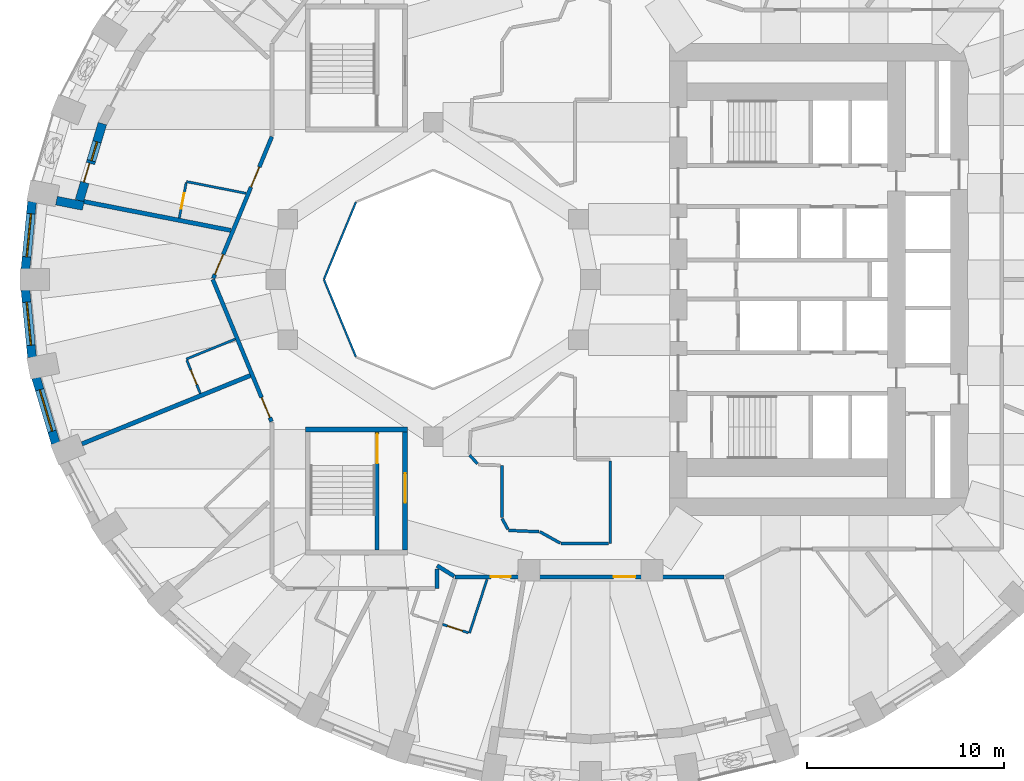
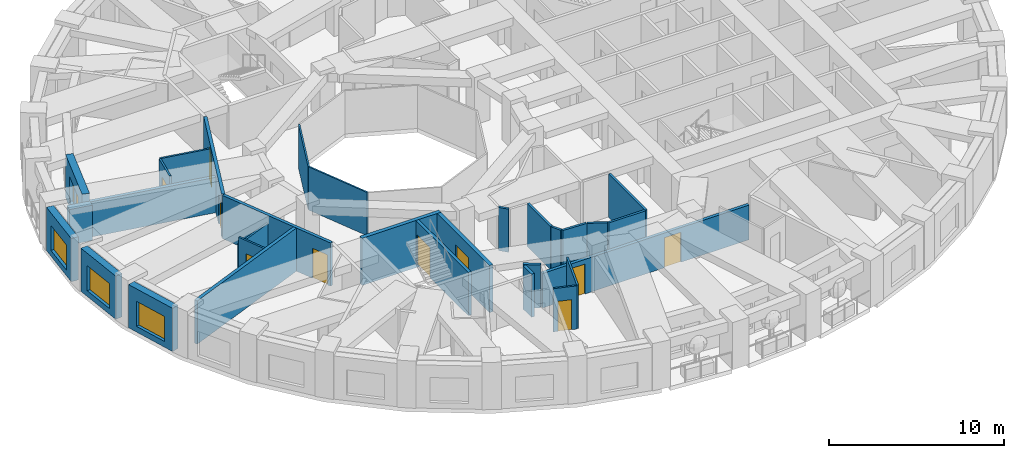
# One storey, part 4 of 13: 30 walls, 11 doors, 4 windows, 15 openings.
"""IFC4 building model written with IfcOpenShell, lengths in metres."""

from ifc_helpers import new_model, si_unit, direction, frame, frame_2d, origin, place, context, subcontext, project, spatial, rectangle, extrude, material, layer, layer_set, type_object, element, fill, save


model = new_model("IFC4")

# Units and contexts
model_context = context("Model", 3, precision=1e-05, world=origin(), true_north=direction((0.0, 1.0)))
body_context = subcontext(model_context, "Body", "Model", "MODEL_VIEW")
ifc_project = project(units=[si_unit("LENGTHUNIT", "METRE"), si_unit("AREAUNIT", "SQUARE_METRE"), si_unit("VOLUMEUNIT", "CUBIC_METRE"), si_unit("PLANEANGLEUNIT", "RADIAN"), si_unit("MASSUNIT", "GRAM", prefix="KILO")], contexts=[model_context])

# Site, building, storey
site_placement = place(None, origin())
site = spatial("IfcSite", under=ifc_project, at=site_placement, CompositionType="ELEMENT")
building_placement = place(site_placement, origin())
building = spatial("IfcBuilding", under=site, at=building_placement, Name="Taillehof Tower", CompositionType="ELEMENT")
storey_placement = place(building_placement, frame((0.0, 0.0, 71.199951171875)))
storey = spatial("IfcBuildingStorey", under=building, at=storey_placement, Name="L19", CompositionType="ELEMENT", Elevation=71.199951171875)

# Walls
ifc_material_1 = material(Name="Fire-resisting glass in steel frame", Category="steel")
ifc_layer_1 = layer(ifc_material_1, 0.10009765625)
ifc_layer_set_1 = layer_set([ifc_layer_1], Name="Atrium fire-resisting screen EI 60 100")
wall_type_1 = type_object("IfcWallType", Name="Atrium fire-resisting screen EI 60 100", PredefinedType="PARTITIONING", material=ifc_layer_set_1)
for number, where, z_axis, x_axis, name in (
    (1, (-11.92724609375, -3.92724609375, 0.0), (0.0, 0.0, 1.0), (-0.382730523909, 0.923860025149, 0.0), "Atrium screen"),
    (2, (-13.55419921875, 0.0, 0.0), (0.0, 0.0, 1.0), (0.382730523909, 0.923860025149, 0.0), "Atrium screen"),
):
    element("IfcWall", number, at=place(storey_placement, frame(where, z_axis=z_axis, x_axis=x_axis)), inside=storey, type_object=wall_type_1, Name=name, PredefinedType="PARTITIONING", context=body_context, shape_type="SweptSolid", body=[
        extrude(rectangle(XDim=4.2509765625, YDim=0.10009765625, at=frame_2d((2.12548828125, 0.0))), origin(), (0.0, 0.0, 1.0), 3.02001953125),
    ])

# Wall, opening, window
ifc_material_2 = material(Name="Brick masonry", Category="masonry")
ifc_layer_2 = layer(ifc_material_2, 0.449951171875)
ifc_layer_set_2 = layer_set([ifc_layer_2], Name="Brick infill wall 450")
wall_type_2 = type_object("IfcWallType", Name="Brick infill wall 450", PredefinedType="SOLIDWALL", material=ifc_layer_set_2)
wall_1_placement = place(storey_placement, frame((-28.38671875, 3.95556640625, 0.0), z_axis=(0.0, 0.0, 1.0), x_axis=(-0.097389581596, -0.995246336038, 0.0)))
wall_1 = element("IfcWall", 3, at=wall_1_placement, inside=storey, type_object=wall_type_2, Name="Brick wall L19 bay 18", PredefinedType="SOLIDWALL", context=body_context, shape_type="SweptSolid", body=[
    extrude(rectangle(XDim=3.44189453125, YDim=0.449951171875, at=frame_2d((1.720947265625, 0.0))), origin(), (0.0, 0.0, 1.0), 3.02001953125),
])
opening_1_placement = place(wall_1_placement, frame((0.62109375, 0.0, 0.39990234375)))
opening_1 = element("IfcOpeningElement", 4, at=opening_1_placement, cuts=wall_1, Name="Opening W1", PredefinedType="OPENING", context=body_context, shape_type="SweptSolid", body=[
    extrude(rectangle(XDim=2.199951171875, YDim=1.75, at=frame_2d((1.10009765625, 0.875))), frame((0.0, 0.23486328125, 0.0), z_axis=(0.0, -1.0, 0.0), x_axis=(1.0, 0.0, 0.0)), (0.0, 0.0, 1.0), 0.469970703125),
])
ifc_material_3 = material(Name="Aluminium window frame with clear double glazing", Category="aluminium")
window_type_1 = type_object("IfcWindowType", Name="Deep-set window 2200x1750", PartitioningType="SINGLE_PANEL", PredefinedType="WINDOW", material=ifc_material_3)
window_1_placement = place(opening_1_placement, origin())
window_1 = element("IfcWindow", 5, at=window_1_placement, inside=storey, type_object=window_type_1, Name="W1", OverallHeight=1.75, OverallWidth=2.199951171875, PartitioningType="SINGLE_PANEL", PredefinedType="WINDOW", context=body_context, shape_type="SweptSolid", body=[
    extrude(rectangle(XDim=2.199951171875, YDim=1.75, at=frame_2d((1.10009765625, 0.875))), frame((0.0, 0.034912109375, 0.0), z_axis=(0.0, -1.0, 0.0), x_axis=(1.0, 0.0, 0.0)), (0.0, 0.0, 1.0), 0.06005859375),
])
fill(opening_1, window_1)

wall_2_placement = place(storey_placement, frame((-28.721923828125, -0.530029296875, 0.0), z_axis=(0.0, 0.0, 1.0), x_axis=(0.097389581596, -0.995246336038, 0.0)))
wall_2 = element("IfcWall", 6, at=wall_2_placement, inside=storey, type_object=wall_type_2, Name="Brick wall L19 bay 19", PredefinedType="SOLIDWALL", context=body_context, shape_type="SweptSolid", body=[
    extrude(rectangle(XDim=3.44189453125, YDim=0.449951171875, at=frame_2d((1.720947265625, 0.0))), origin(), (0.0, 0.0, 1.0), 3.02001953125),
])
opening_2_placement = place(wall_2_placement, frame((0.62109375, 0.0, 0.39990234375)))
opening_2 = element("IfcOpeningElement", 7, at=opening_2_placement, cuts=wall_2, Name="Opening W1", PredefinedType="OPENING", context=body_context, shape_type="SweptSolid", body=[
    extrude(rectangle(XDim=2.199951171875, YDim=1.75, at=frame_2d((1.10009765625, 0.875))), frame((0.0, 0.23486328125, 0.0), z_axis=(0.0, -1.0, 0.0), x_axis=(1.0, 0.0, 0.0)), (0.0, 0.0, 1.0), 0.469970703125),
])
window_2_placement = place(opening_2_placement, origin())
window_2 = element("IfcWindow", 8, at=window_2_placement, inside=storey, type_object=window_type_1, Name="W1", OverallHeight=1.75, OverallWidth=2.199951171875, PartitioningType="SINGLE_PANEL", PredefinedType="WINDOW", context=body_context, shape_type="SweptSolid", body=[
    extrude(rectangle(XDim=2.199951171875, YDim=1.75, at=frame_2d((1.10009765625, 0.875))), frame((0.0, 0.034912109375, 0.0), z_axis=(0.0, -1.0, 0.0), x_axis=(1.0, 0.0, 0.0)), (0.0, 0.0, 1.0), 0.06005859375),
])
fill(opening_2, window_2)

wall_3_placement = place(storey_placement, frame((-28.181884765625, -4.995849609375, 0.0), z_axis=(0.0, 0.0, 1.0), x_axis=(0.287064133733, -0.957911364963, 0.0)))
wall_3 = element("IfcWall", 9, at=wall_3_placement, inside=storey, type_object=wall_type_2, Name="Brick wall L19 bay 20", PredefinedType="SOLIDWALL", context=body_context, shape_type="SweptSolid", body=[
    extrude(rectangle(XDim=3.473388671875, YDim=0.449951171875, at=frame_2d((1.73681640625, 0.0))), origin(), (0.0, 0.0, 1.0), 3.02001953125),
])
opening_3_placement = place(wall_3_placement, frame((0.63671875, 0.0, 0.39990234375)))
opening_3 = element("IfcOpeningElement", 10, at=opening_3_placement, cuts=wall_3, Name="Opening W1", PredefinedType="OPENING", context=body_context, shape_type="SweptSolid", body=[
    extrude(rectangle(XDim=2.199951171875, YDim=1.75, at=frame_2d((1.10009765625, 0.875))), frame((0.0, 0.23486328125, 0.0), z_axis=(0.0, -1.0, 0.0), x_axis=(1.0, 0.0, 0.0)), (0.0, 0.0, 1.0), 0.469970703125),
])
window_3_placement = place(opening_3_placement, origin())
window_3 = element("IfcWindow", 11, at=window_3_placement, inside=storey, type_object=window_type_1, Name="W1", OverallHeight=1.75, OverallWidth=2.199951171875, PartitioningType="SINGLE_PANEL", PredefinedType="WINDOW", context=body_context, shape_type="SweptSolid", body=[
    extrude(rectangle(XDim=2.199951171875, YDim=1.75, at=frame_2d((1.10009765625, 0.875))), frame((0.0, 0.034912109375, 0.0), z_axis=(0.0, -1.0, 0.0), x_axis=(1.0, 0.0, 0.0)), (0.0, 0.0, 1.0), 0.06005859375),
])
fill(opening_3, window_3)

# Wall
wall_4_placement = place(storey_placement, frame((-27.15087890625, 4.008544921875, 0.0), z_axis=(0.0, 0.0, 1.0), x_axis=(0.981197182729, -0.1930080014, 0.0)))
element("IfcWall", 12, at=wall_4_placement, inside=storey, type_object=wall_type_2, Name="Brick reveal L19 pocket 4", PredefinedType="SOLIDWALL", context=body_context, shape_type="SweptSolid", body=[
    extrude(rectangle(XDim=1.39013671875, YDim=0.449951171875, at=frame_2d((0.695068359375, 0.0))), origin(), (0.0, 0.0, 1.0), 2.469970703125),
])

# Wall, openings, door, window
wall_5_placement = place(storey_placement, frame((-24.811767578125, 7.92529296875, 0.0), z_axis=(0.0, 0.0, 1.0), x_axis=(-0.286389028326, -0.95811341941, 0.0)))
wall_5 = element("IfcWall", 13, at=wall_5_placement, inside=storey, type_object=wall_type_2, Name="Brick wall L19 pocket bay 17", PredefinedType="SOLIDWALL", context=body_context, shape_type="SweptSolid", body=[
    extrude(rectangle(XDim=4.08837890625, YDim=0.449951171875, at=frame_2d((2.044189453125, 0.0))), origin(), (0.0, 0.0, 1.0), 3.02001953125),
])
opening_4_placement = place(wall_5_placement, frame((0.96923828125, 0.0, 0.39990234375)))
opening_4 = element("IfcOpeningElement", 14, at=opening_4_placement, cuts=wall_5, Name="Opening W5", PredefinedType="OPENING", context=body_context, shape_type="SweptSolid", body=[
    extrude(rectangle(XDim=1.0, YDim=1.75, at=frame_2d((0.5, 0.875))), frame((0.0, 0.23486328125, 0.0), z_axis=(0.0, -1.0, 0.0), x_axis=(1.0, 0.0, 0.0)), (0.0, 0.0, 1.0), 0.469970703125),
])
opening_5_placement = place(wall_5_placement, frame((2.119140625, 0.0, 0.0)))
opening_5 = element("IfcOpeningElement", 15, at=opening_5_placement, cuts=wall_5, Name="Opening D1996", PredefinedType="OPENING", context=body_context, shape_type="SweptSolid", body=[
    extrude(rectangle(XDim=1.0, YDim=2.14990234375, at=frame_2d((0.5, 1.074951171875))), frame((0.0, 0.23486328125, 0.0), z_axis=(0.0, -1.0, 0.0), x_axis=(1.0, 0.0, 0.0)), (0.0, 0.0, 1.0), 0.469970703125),
])
ifc_material_4 = material(Name="Aluminium door frame with clear double glazing", Category="aluminium")
door_type_1 = type_object("IfcDoorType", Name="Balcony door 1000x2150", OperationType="SINGLE_SWING_RIGHT", PredefinedType="DOOR", material=ifc_material_4)
door_1_placement = place(opening_5_placement, frame((1.0, 0.0, 0.0), z_axis=(0.0, 0.0, 1.0), x_axis=(-1.0, 0.0, 0.0)))
door_1 = element("IfcDoor", 16, at=door_1_placement, inside=storey, type_object=door_type_1, Name="Balcony door L19 bay 17", OperationType="SINGLE_SWING_LEFT", OverallHeight=2.14990234375, OverallWidth=1.0, PredefinedType="DOOR", context=body_context, shape_type="SweptSolid", body=[
    extrude(rectangle(XDim=1.0, YDim=2.14990234375, at=frame_2d((0.5, 1.074951171875))), frame((0.0, 0.0751953125, 0.0), z_axis=(0.0, -1.0, 0.0), x_axis=(1.0, 0.0, 0.0)), (0.0, 0.0, 1.0), 0.050048828125),
])
fill(opening_5, door_1)
ifc_material_5 = material(Name="Aluminium window frame with clear double glazing", Category="aluminium")
window_type_2 = type_object("IfcWindowType", Name="Fixed window 1000x1750", PartitioningType="SINGLE_PANEL", PredefinedType="WINDOW", material=ifc_material_5)
window_4_placement = place(opening_4_placement, origin())
window_4 = element("IfcWindow", 17, at=window_4_placement, inside=storey, type_object=window_type_2, Name="W5", OverallHeight=1.75, OverallWidth=1.0, PartitioningType="SINGLE_PANEL", PredefinedType="WINDOW", context=body_context, shape_type="SweptSolid", body=[
    extrude(rectangle(XDim=1.0, YDim=1.75, at=frame_2d((0.5, 0.875))), frame((0.0, 0.034912109375, 0.0), z_axis=(0.0, -1.0, 0.0), x_axis=(1.0, 0.0, 0.0)), (0.0, 0.0, 1.0), 0.06005859375),
])
fill(opening_4, window_4)

# Wall, openings, doors
ifc_material_6 = material(Name="Gypsum board on steel studs, two layers each side", Category="steel")
ifc_layer_3 = layer(ifc_material_6, 0.199951171875)
ifc_layer_set_3 = layer_set([ifc_layer_3], Name="Compartment wall corridor 200")
wall_type_3 = type_object("IfcWallType", Name="Compartment wall corridor 200", PredefinedType="PARTITIONING", material=ifc_layer_set_3)
wall_6_placement = place(storey_placement, frame((6.7783203125, -15.115478515625, 0.0), z_axis=(0.0, 0.0, 1.0), x_axis=(-1.0, 0.0, 0.0)))
wall_6 = element("IfcWall", 18, at=wall_6_placement, inside=storey, type_object=wall_type_3, Name="Compartment wall", PredefinedType="PARTITIONING", context=body_context, shape_type="SweptSolid", body=[
    extrude(rectangle(XDim=13.65673828125, YDim=0.199951171875, at=frame_2d((6.828369140625, 0.0))), origin(), (0.0, 0.0, 1.0), 2.420166015625),
])
opening_6_placement = place(wall_6_placement, frame((10.8427734375, 0.0, 0.0)))
opening_6 = element("IfcOpeningElement", 19, at=opening_6_placement, cuts=wall_6, Name="Opening D1958", PredefinedType="OPENING", context=body_context, shape_type="SweptSolid", body=[
    extrude(rectangle(XDim=1.0, YDim=2.10009765625, at=frame_2d((0.5, 1.050048828125))), frame((0.0, 0.10986328125, 0.0), z_axis=(0.0, -1.0, 0.0), x_axis=(1.0, 0.0, 0.0)), (0.0, 0.0, 1.0), 0.219970703125),
])
opening_7_placement = place(wall_6_placement, frame((4.50537109375, 0.0, 0.0)))
opening_7 = element("IfcOpeningElement", 20, at=opening_7_placement, cuts=wall_6, Name="Opening D1960", PredefinedType="OPENING", context=body_context, shape_type="SweptSolid", body=[
    extrude(rectangle(XDim=1.10009765625, YDim=2.10009765625, at=frame_2d((0.550048828125, 1.050048828125))), frame((0.0, 0.10986328125, 0.0), z_axis=(0.0, -1.0, 0.0), x_axis=(1.0, 0.0, 0.0)), (0.0, 0.0, 1.0), 0.219970703125),
])
ifc_material_7 = material(Name="Timber door leaf in steel frame", Category="steel")
door_type_2 = type_object("IfcDoorType", Name="Guest room door EI 30 1000 x 2100", OperationType="SINGLE_SWING_LEFT", PredefinedType="DOOR", material=ifc_material_7)
door_2_placement = place(opening_6_placement, origin())
door_2 = element("IfcDoor", 21, at=door_2_placement, inside=storey, type_object=door_type_2, Name="D1958", OperationType="SINGLE_SWING_RIGHT", OverallHeight=2.10009765625, OverallWidth=1.0, PredefinedType="DOOR", context=body_context, shape_type="SweptSolid", body=[
    extrude(rectangle(XDim=1.0, YDim=2.10009765625, at=frame_2d((0.5, 1.050048828125))), frame((0.0, 0.02490234375, 0.0), z_axis=(0.0, -1.0, 0.0), x_axis=(1.0, 0.0, 0.0)), (0.0, 0.0, 1.0), 0.050048828125),
])
fill(opening_6, door_2)
ifc_material_8 = material(Name="Timber door leaf in steel frame", Category="steel")
door_type_3 = type_object("IfcDoorType", Name="Suite entrance door EI 30 1100 x 2100", OperationType="SINGLE_SWING_LEFT", PredefinedType="DOOR", material=ifc_material_8)
door_3_placement = place(opening_7_placement, origin())
door_3 = element("IfcDoor", 22, at=door_3_placement, inside=storey, type_object=door_type_3, Name="D1960", OperationType="SINGLE_SWING_LEFT", OverallHeight=2.10009765625, OverallWidth=1.10009765625, PredefinedType="DOOR", context=body_context, shape_type="SweptSolid", body=[
    extrude(rectangle(XDim=1.10009765625, YDim=2.10009765625, at=frame_2d((0.550048828125, 1.050048828125))), frame((0.0, 0.02490234375, 0.0), z_axis=(0.0, -1.0, 0.0), x_axis=(1.0, 0.0, 0.0)), (0.0, 0.0, 1.0), 0.050048828125),
])
fill(opening_7, door_3)

# Walls
wall_7_placement = place(storey_placement, frame((-6.9296875, -15.083984375, 0.0), z_axis=(0.0, 0.0, 1.0), x_axis=(-0.848439230109, 0.529292804421, 0.0)))
element("IfcWall", 23, at=wall_7_placement, inside=storey, type_object=wall_type_3, Name="Compartment wall", PredefinedType="PARTITIONING", context=body_context, shape_type="SweptSolid", body=[
    extrude(rectangle(XDim=1.02587890625, YDim=0.199951171875, at=frame_2d((0.512939453125, 0.0))), origin(), (0.0, 0.0, 1.0), 3.02001953125),
])
wall_8_placement = place(storey_placement, frame((-7.800048828125, -14.72119140625, 0.0), z_axis=(0.0, 0.0, 1.0), x_axis=(0.0, -1.0, 0.0)))
element("IfcWall", 24, at=wall_8_placement, inside=storey, type_object=wall_type_3, Name="Compartment wall", PredefinedType="PARTITIONING", context=body_context, shape_type="SweptSolid", body=[
    extrude(rectangle(XDim=0.978759765625, YDim=0.199951171875, at=frame_2d((0.4892578125, 0.0))), origin(), (0.0, 0.0, 1.0), 3.02001953125),
])

# Wall, opening, door
wall_9_placement = place(storey_placement, frame((-16.215087890625, -7.22119140625, 0.0), z_axis=(0.0, 0.0, 1.0), x_axis=(-0.382000362846, 0.924162173423, 0.0)))
wall_9 = element("IfcWall", 25, at=wall_9_placement, inside=storey, type_object=wall_type_3, Name="Compartment wall", PredefinedType="PARTITIONING", context=body_context, shape_type="SweptSolid", body=[
    extrude(rectangle(XDim=7.813720703125, YDim=0.199951171875, at=frame_2d((3.90673828125, 0.0))), origin(), (0.0, 0.0, 1.0), 3.02001953125),
])
opening_8_placement = place(wall_9_placement, frame((0.219970703125, 0.0, 0.0)))
opening_8 = element("IfcOpeningElement", 26, at=opening_8_placement, cuts=wall_9, Name="Opening D1952", PredefinedType="OPENING", context=body_context, shape_type="SweptSolid", body=[
    extrude(rectangle(XDim=1.10009765625, YDim=2.10009765625, at=frame_2d((0.550048828125, 1.050048828125))), frame((0.0, 0.10986328125, 0.0), z_axis=(0.0, -1.0, 0.0), x_axis=(1.0, 0.0, 0.0)), (0.0, 0.0, 1.0), 0.219970703125),
])
door_4_placement = place(opening_8_placement, origin())
door_4 = element("IfcDoor", 27, at=door_4_placement, inside=storey, type_object=door_type_3, Name="D1952", OperationType="SINGLE_SWING_LEFT", OverallHeight=2.10009765625, OverallWidth=1.10009765625, PredefinedType="DOOR", context=body_context, shape_type="SweptSolid", body=[
    extrude(rectangle(XDim=1.10009765625, YDim=2.10009765625, at=frame_2d((0.550048828125, 1.050048828125))), frame((0.0, 0.02490234375, 0.0), z_axis=(0.0, -1.0, 0.0), x_axis=(1.0, 0.0, 0.0)), (0.0, 0.0, 1.0), 0.050048828125),
])
fill(opening_8, door_4)

# Wall, openings, doors
wall_10_placement = place(storey_placement, frame((-19.17724609375, 0.0556640625, 0.0), z_axis=(0.0, 0.0, 1.0), x_axis=(0.382011450526, 0.924157590277, 0.0)))
wall_10 = element("IfcWall", 28, at=wall_10_placement, inside=storey, type_object=wall_type_3, Name="Compartment wall", PredefinedType="PARTITIONING", context=body_context, shape_type="SweptSolid", body=[
    extrude(rectangle(XDim=7.793701171875, YDim=0.199951171875, at=frame_2d((3.89697265625, 0.0))), origin(), (0.0, 0.0, 1.0), 3.02001953125),
])
opening_9_placement = place(wall_10_placement, frame((5.021728515625, 0.0, 0.0)))
opening_9 = element("IfcOpeningElement", 29, at=opening_9_placement, cuts=wall_10, Name="Opening D1948", PredefinedType="OPENING", context=body_context, shape_type="SweptSolid", body=[
    extrude(rectangle(XDim=1.10009765625, YDim=2.10009765625, at=frame_2d((0.550048828125, 1.050048828125))), frame((0.0, 0.10986328125, 0.0), z_axis=(0.0, -1.0, 0.0), x_axis=(1.0, 0.0, 0.0)), (0.0, 0.0, 1.0), 0.219970703125),
])
opening_10_placement = place(wall_10_placement, frame((0.219970703125, 0.0, 0.0)))
opening_10 = element("IfcOpeningElement", 30, at=opening_10_placement, cuts=wall_10, Name="Opening D1950", PredefinedType="OPENING", context=body_context, shape_type="SweptSolid", body=[
    extrude(rectangle(XDim=1.10009765625, YDim=2.10009765625, at=frame_2d((0.550048828125, 1.050048828125))), frame((0.0, 0.10986328125, 0.0), z_axis=(0.0, -1.0, 0.0), x_axis=(1.0, 0.0, 0.0)), (0.0, 0.0, 1.0), 0.219970703125),
])
door_5_placement = place(opening_9_placement, origin())
door_5 = element("IfcDoor", 31, at=door_5_placement, inside=storey, type_object=door_type_3, Name="D1948", OperationType="SINGLE_SWING_LEFT", OverallHeight=2.10009765625, OverallWidth=1.10009765625, PredefinedType="DOOR", context=body_context, shape_type="SweptSolid", body=[
    extrude(rectangle(XDim=1.10009765625, YDim=2.10009765625, at=frame_2d((0.550048828125, 1.050048828125))), frame((0.0, 0.02490234375, 0.0), z_axis=(0.0, -1.0, 0.0), x_axis=(1.0, 0.0, 0.0)), (0.0, 0.0, 1.0), 0.050048828125),
])
fill(opening_9, door_5)
door_6_placement = place(opening_10_placement, origin())
door_6 = element("IfcDoor", 32, at=door_6_placement, inside=storey, type_object=door_type_3, Name="D1950", OperationType="SINGLE_SWING_RIGHT", OverallHeight=2.10009765625, OverallWidth=1.10009765625, PredefinedType="DOOR", context=body_context, shape_type="SweptSolid", body=[
    extrude(rectangle(XDim=1.10009765625, YDim=2.10009765625, at=frame_2d((0.550048828125, 1.050048828125))), frame((0.0, 0.02490234375, 0.0), z_axis=(0.0, -1.0, 0.0), x_axis=(1.0, 0.0, 0.0)), (0.0, 0.0, 1.0), 0.050048828125),
])
fill(opening_10, door_6)

# Walls
ifc_material_9 = material(Name="Gypsum board on double steel studs with mineral wool", Category="steel")
ifc_layer_4 = layer(ifc_material_9, 0.219970703125)
ifc_layer_set_4 = layer_set([ifc_layer_4], Name="Compartment wall guest room 220")
wall_type_4 = type_object("IfcWallType", Name="Compartment wall guest room 220", PredefinedType="PARTITIONING", material=ifc_layer_set_4)
wall_11_placement = place(storey_placement, frame((-25.760986328125, 3.96435546875, 0.0), z_axis=(0.0, 0.0, 1.0), x_axis=(0.981212489184, -0.192930171486, 0.0)))
element("IfcWall", 33, at=wall_11_placement, inside=storey, type_object=wall_type_4, Name="Compartment wall", PredefinedType="PARTITIONING", context=body_context, shape_type="SweptSolid", body=[
    extrude(rectangle(XDim=7.6064453125, YDim=0.219970703125, at=frame_2d((3.80322265625, 0.0))), origin(), (0.0, 0.0, 1.0), 2.469970703125),
])
wall_12_placement = place(storey_placement, frame((-25.851318359375, -8.35400390625, 0.0), z_axis=(0.0, 0.0, 1.0), x_axis=(0.926554383207, 0.376160836558, 0.0)))
element("IfcWall", 34, at=wall_12_placement, inside=storey, type_object=wall_type_4, Name="Compartment wall", PredefinedType="PARTITIONING", context=body_context, shape_type="SweptSolid", body=[
    extrude(rectangle(XDim=9.23828125, YDim=0.219970703125, at=frame_2d((4.619140625, 0.0))), origin(), (0.0, 0.0, 1.0), 3.02001953125),
])
ifc_material_10 = material(Name="Gypsum board on steel studs, two layers each side", Category="steel")
ifc_layer_5 = layer(ifc_material_10, 0.14990234375)
ifc_layer_set_5 = layer_set([ifc_layer_5], Name="Compartment wall service room 150")
wall_type_5 = type_object("IfcWallType", Name="Compartment wall service room 150", PredefinedType="PARTITIONING", material=ifc_layer_set_5)
wall_13_placement = place(storey_placement, frame((1.0, -9.22998046875, 0.0), z_axis=(0.0, 0.0, 1.0), x_axis=(0.0, -1.0, 0.0)))
element("IfcWall", 35, at=wall_13_placement, inside=storey, type_object=wall_type_5, Name="Compartment wall", PredefinedType="PARTITIONING", context=body_context, shape_type="SweptSolid", body=[
    extrude(rectangle(XDim=4.185546875, YDim=0.14990234375, at=frame_2d((2.0927734375, 0.0))), origin(), (0.0, 0.0, 1.0), 3.02001953125),
])
wall_14_placement = place(storey_placement, frame((0.919921875, -13.41552734375, 0.0), z_axis=(0.0, 0.0, 1.0), x_axis=(-1.0, 0.0, 0.0)))
element("IfcWall", 36, at=wall_14_placement, inside=storey, type_object=wall_type_5, Name="Compartment wall", PredefinedType="PARTITIONING", context=body_context, shape_type="SweptSolid", body=[
    extrude(rectangle(XDim=2.4296875, YDim=0.14990234375, at=frame_2d((1.21484375, 0.0))), origin(), (0.0, 0.0, 1.0), 3.02001953125),
])
wall_15_placement = place(storey_placement, frame((-1.544921875, -13.39599609375, 0.0), z_axis=(0.0, 0.0, 1.0), x_axis=(-0.873678559566, 0.486503622345, 0.0)))
element("IfcWall", 37, at=wall_15_placement, inside=storey, type_object=wall_type_5, Name="Compartment wall", PredefinedType="PARTITIONING", context=body_context, shape_type="SweptSolid", body=[
    extrude(rectangle(XDim=1.1796875, YDim=0.14990234375, at=frame_2d((0.58984375, 0.0))), origin(), (0.0, 0.0, 1.0), 3.02001953125),
])
wall_16_placement = place(storey_placement, frame((-2.61572265625, -12.820068359375, 0.0), z_axis=(0.0, 0.0, 1.0), x_axis=(-0.99904515517, 0.04368956318, 0.0)))
element("IfcWall", 38, at=wall_16_placement, inside=storey, type_object=wall_type_5, Name="Compartment wall", PredefinedType="PARTITIONING", context=body_context, shape_type="SweptSolid", body=[
    extrude(rectangle(XDim=1.553466796875, YDim=0.14990234375, at=frame_2d((0.77685546875, 0.0))), origin(), (0.0, 0.0, 1.0), 3.02001953125),
])
wall_17_placement = place(storey_placement, frame((-4.1962890625, -12.699462890625, 0.0), z_axis=(0.0, 0.0, 1.0), x_axis=(-0.481398734925, 0.876501715921, 0.0)))
element("IfcWall", 39, at=wall_17_placement, inside=storey, type_object=wall_type_5, Name="Compartment wall", PredefinedType="PARTITIONING", context=body_context, shape_type="SweptSolid", body=[
    extrude(rectangle(XDim=0.630859375, YDim=0.14990234375, at=frame_2d((0.3154296875, 0.0))), origin(), (0.0, 0.0, 1.0), 3.02001953125),
])
wall_18_placement = place(storey_placement, frame((-4.5, -12.1064453125, 0.0), z_axis=(0.0, 0.0, 1.0), x_axis=(0.0, 1.0, 0.0)))
element("IfcWall", 40, at=wall_18_placement, inside=storey, type_object=wall_type_5, Name="Compartment wall", PredefinedType="PARTITIONING", context=body_context, shape_type="SweptSolid", body=[
    extrude(rectangle(XDim=2.656494140625, YDim=0.14990234375, at=frame_2d((1.328125, 0.0))), origin(), (0.0, 0.0, 1.0), 3.02001953125),
])
wall_19_placement = place(storey_placement, frame((-5.746826171875, -9.36767578125, 0.0), z_axis=(0.0, 0.0, 1.0), x_axis=(-0.671757620202, 0.740771017049, 0.0)))
element("IfcWall", 41, at=wall_19_placement, inside=storey, type_object=wall_type_5, Name="Compartment wall", PredefinedType="PARTITIONING", context=body_context, shape_type="SweptSolid", body=[
    extrude(rectangle(XDim=0.597900390625, YDim=0.14990234375, at=frame_2d((0.298828125, 0.0))), origin(), (0.0, 0.0, 1.0), 3.02001953125),
])
ifc_material_11 = material(Name="Gypsum board on steel studs, moisture resistant", Category="steel")
ifc_layer_6 = layer(ifc_material_11, 0.1201171875)
ifc_layer_set_6 = layer_set([ifc_layer_6], Name="En-suite wall 120")
wall_type_6 = type_object("IfcWallType", Name="En-suite wall 120", PredefinedType="PARTITIONING", material=ifc_layer_set_6)
wall_20_placement = place(storey_placement, frame((-17.518310546875, 4.3818359375, 0.0), z_axis=(0.0, 0.0, 1.0), x_axis=(-0.981212916867, 0.192927996342, 0.0)))
element("IfcWall", 42, at=wall_20_placement, inside=storey, type_object=wall_type_6, Name="En-suite wall", PredefinedType="PARTITIONING", context=body_context, shape_type="SweptSolid", body=[
    extrude(rectangle(XDim=3.078857421875, YDim=0.1201171875, at=frame_2d((1.53955078125, 0.0))), origin(), (0.0, 0.0, 1.0), 3.02001953125),
])
wall_21_placement = place(storey_placement, frame((-18.0556640625, -3.030517578125, 0.0), z_axis=(0.0, 0.0, 1.0), x_axis=(-0.926540804766, -0.376194281061, 0.0)))
element("IfcWall", 43, at=wall_21_placement, inside=storey, type_object=wall_type_6, Name="En-suite wall", PredefinedType="PARTITIONING", context=body_context, shape_type="SweptSolid", body=[
    extrude(rectangle(XDim=2.6875, YDim=0.1201171875, at=frame_2d((1.34375, 0.0))), origin(), (0.0, 0.0, 1.0), 2.469970703125),
])
wall_22_placement = place(storey_placement, frame((-5.26025390625, -15.234619140625, 0.0), z_axis=(0.0, 0.0, 1.0), x_axis=(-0.310220453498, -0.950664646567, 0.0)))
element("IfcWall", 44, at=wall_22_placement, inside=storey, type_object=wall_type_6, Name="En-suite wall", PredefinedType="PARTITIONING", context=body_context, shape_type="SweptSolid", body=[
    extrude(rectangle(XDim=2.88037109375, YDim=0.1201171875, at=frame_2d((1.440185546875, 0.0))), origin(), (0.0, 0.0, 1.0), 3.02001953125),
])

# Wall, opening, door
wall_23_placement = place(storey_placement, frame((-20.551025390625, 4.917236328125, 0.0), z_axis=(0.0, 0.0, 1.0), x_axis=(-0.19288291118, -0.981221780524, 0.0)))
wall_23 = element("IfcWall", 45, at=wall_23_placement, inside=storey, type_object=wall_type_6, Name="En-suite wall", PredefinedType="PARTITIONING", context=body_context, shape_type="SweptSolid", body=[
    extrude(rectangle(XDim=1.830322265625, YDim=0.1201171875, at=frame_2d((0.9150390625, 0.0))), origin(), (0.0, 0.0, 1.0), 3.02001953125),
])
opening_11_placement = place(wall_23_placement, frame((0.540283203125, 0.0, 0.0)))
opening_11 = element("IfcOpeningElement", 46, at=opening_11_placement, cuts=wall_23, Name="Opening D1949", PredefinedType="OPENING", context=body_context, shape_type="SweptSolid", body=[
    extrude(rectangle(XDim=0.800048828125, YDim=2.10009765625, at=frame_2d((0.39990234375, 1.050048828125))), frame((0.0, 0.070068359375, 0.0), z_axis=(0.0, -1.0, 0.0), x_axis=(1.0, 0.0, 0.0)), (0.0, 0.0, 1.0), 0.14013671875),
])
ifc_material_12 = material(Name="Timber door leaf in steel frame", Category="steel")
door_type_4 = type_object("IfcDoorType", Name="En-suite door 800 x 2100", OperationType="SINGLE_SWING_LEFT", PredefinedType="DOOR", material=ifc_material_12)
door_7_placement = place(opening_11_placement, origin())
door_7 = element("IfcDoor", 47, at=door_7_placement, inside=storey, type_object=door_type_4, Name="D1949", OperationType="SINGLE_SWING_LEFT", OverallHeight=2.10009765625, OverallWidth=0.800048828125, PredefinedType="DOOR", context=body_context, shape_type="SweptSolid", body=[
    extrude(rectangle(XDim=0.800048828125, YDim=2.10009765625, at=frame_2d((0.39990234375, 1.050048828125))), frame((0.0, 0.02490234375, 0.0), z_axis=(0.0, -1.0, 0.0), x_axis=(1.0, 0.0, 0.0)), (0.0, 0.0, 1.0), 0.050048828125),
])
fill(opening_11, door_7)

wall_24_placement = place(storey_placement, frame((-20.523193359375, -4.09716796875, 0.0), z_axis=(0.0, 0.0, 1.0), x_axis=(0.376216010002, -0.92653198208, 0.0)))
wall_24 = element("IfcWall", 48, at=wall_24_placement, inside=storey, type_object=wall_type_6, Name="En-suite wall", PredefinedType="PARTITIONING", context=body_context, shape_type="SweptSolid", body=[
    extrude(rectangle(XDim=1.830078125, YDim=0.1201171875, at=frame_2d((0.9150390625, 0.0))), origin(), (0.0, 0.0, 1.0), 3.02001953125),
])
opening_12_placement = place(wall_24_placement, frame((0.539794921875, 0.0, 0.0)))
opening_12 = element("IfcOpeningElement", 49, at=opening_12_placement, cuts=wall_24, Name="Opening D1951", PredefinedType="OPENING", context=body_context, shape_type="SweptSolid", body=[
    extrude(rectangle(XDim=0.800048828125, YDim=2.10009765625, at=frame_2d((0.39990234375, 1.050048828125))), frame((0.0, 0.070068359375, 0.0), z_axis=(0.0, -1.0, 0.0), x_axis=(1.0, 0.0, 0.0)), (0.0, 0.0, 1.0), 0.14013671875),
])
door_8_placement = place(opening_12_placement, origin())
door_8 = element("IfcDoor", 50, at=door_8_placement, inside=storey, type_object=door_type_4, Name="D1951", OperationType="SINGLE_SWING_LEFT", OverallHeight=2.10009765625, OverallWidth=0.800048828125, PredefinedType="DOOR", context=body_context, shape_type="SweptSolid", body=[
    extrude(rectangle(XDim=0.800048828125, YDim=2.10009765625, at=frame_2d((0.39990234375, 1.050048828125))), frame((0.0, 0.02490234375, 0.0), z_axis=(0.0, -1.0, 0.0), x_axis=(1.0, 0.0, 0.0)), (0.0, 0.0, 1.0), 0.050048828125),
])
fill(opening_12, door_8)

wall_25_placement = place(storey_placement, frame((-6.2109375, -17.95458984375, 0.0), z_axis=(0.0, 0.0, 1.0), x_axis=(-0.950645927723, 0.31027781117, 0.0)))
wall_25 = element("IfcWall", 51, at=wall_25_placement, inside=storey, type_object=wall_type_6, Name="En-suite wall", PredefinedType="PARTITIONING", context=body_context, shape_type="SweptSolid", body=[
    extrude(rectangle(XDim=1.380126953125, YDim=0.1201171875, at=frame_2d((0.68994140625, 0.0))), origin(), (0.0, 0.0, 1.0), 3.02001953125),
])
opening_13_placement = place(wall_25_placement, frame((0.315185546875, 0.0, 0.0)))
opening_13 = element("IfcOpeningElement", 52, at=opening_13_placement, cuts=wall_25, Name="Opening D1959", PredefinedType="OPENING", context=body_context, shape_type="SweptSolid", body=[
    extrude(rectangle(XDim=0.800048828125, YDim=2.10009765625, at=frame_2d((0.39990234375, 1.050048828125))), frame((0.0, 0.070068359375, 0.0), z_axis=(0.0, -1.0, 0.0), x_axis=(1.0, 0.0, 0.0)), (0.0, 0.0, 1.0), 0.14013671875),
])
door_9_placement = place(opening_13_placement, origin())
door_9 = element("IfcDoor", 53, at=door_9_placement, inside=storey, type_object=door_type_4, Name="D1959", OperationType="SINGLE_SWING_RIGHT", OverallHeight=2.10009765625, OverallWidth=0.800048828125, PredefinedType="DOOR", context=body_context, shape_type="SweptSolid", body=[
    extrude(rectangle(XDim=0.800048828125, YDim=2.10009765625, at=frame_2d((0.39990234375, 1.050048828125))), frame((0.0, 0.02490234375, 0.0), z_axis=(0.0, -1.0, 0.0), x_axis=(1.0, 0.0, 0.0)), (0.0, 0.0, 1.0), 0.050048828125),
])
fill(opening_13, door_9)

ifc_material_13 = material(Name="Concrete C50/60", Category="concrete")
ifc_layer_7 = layer(ifc_material_13, 0.199951171875)
ifc_layer_set_7 = layer_set([ifc_layer_7], Name="Shaft wall C50/60 200")
wall_type_7 = type_object("IfcWallType", Name="Shaft wall C50/60 200", PredefinedType="SHEAR", material=ifc_layer_set_7)
wall_26_placement = place(storey_placement, frame((-10.85009765625, -13.75, 0.0), z_axis=(0.0, 0.0, 1.0), x_axis=(0.0, 1.0, 0.0)))
wall_26 = element("IfcWall", 54, at=wall_26_placement, inside=storey, type_object=wall_type_7, Name="Shaft wall SW", PredefinedType="SHEAR", context=body_context, shape_type="SweptSolid", body=[
    extrude(rectangle(XDim=6.0, YDim=0.199951171875, at=frame_2d((3.0, 0.0))), origin(), (0.0, 0.0, 1.0), 3.02001953125),
])
opening_14_placement = place(wall_26_placement, frame((4.39990234375, 0.0, 0.0)))
opening_14 = element("IfcOpeningElement", 55, at=opening_14_placement, cuts=wall_26, Name="Opening D1913", PredefinedType="OPENING", context=body_context, shape_type="SweptSolid", body=[
    extrude(rectangle(XDim=1.5, YDim=2.10009765625, at=frame_2d((0.75, 1.050048828125))), frame((0.0, 0.10986328125, 0.0), z_axis=(0.0, -1.0, 0.0), x_axis=(1.0, 0.0, 0.0)), (0.0, 0.0, 1.0), 0.219970703125),
])
ifc_material_14 = material(Name="Steel-faced fire door", Category="steel")
door_type_5 = type_object("IfcDoorType", Name="Stair door 1500x2100", OperationType="DOUBLE_DOOR_SINGLE_SWING", PredefinedType="DOOR", material=ifc_material_14)
door_10_placement = place(opening_14_placement, origin())
door_10 = element("IfcDoor", 56, at=door_10_placement, inside=storey, type_object=door_type_5, Name="Stair lobby door S4", OperationType="DOUBLE_DOOR_SINGLE_SWING", OverallHeight=2.10009765625, OverallWidth=1.5, PredefinedType="DOOR", context=body_context, shape_type="SweptSolid", body=[
    extrude(rectangle(XDim=1.5, YDim=2.10009765625, at=frame_2d((0.75, 1.050048828125))), frame((0.0, 0.02490234375, 0.0), z_axis=(0.0, -1.0, 0.0), x_axis=(1.0, 0.0, 0.0)), (0.0, 0.0, 1.0), 0.050048828125),
])
fill(opening_14, door_10)

ifc_material_15 = material(Name="Concrete C50/60", Category="concrete")
ifc_layer_8 = layer(ifc_material_15, 0.25)
ifc_layer_set_8 = layer_set([ifc_layer_8], Name="Stair wall C50/60 250")
wall_type_8 = type_object("IfcWallType", Name="Stair wall C50/60 250", PredefinedType="SHEAR", material=ifc_layer_set_8)
wall_27_placement = place(storey_placement, frame((-9.425048828125, -13.75, -0.280029296875), z_axis=(0.0, 0.0, 1.0), x_axis=(0.0, 1.0, 0.0)))
wall_27 = element("IfcWall", 57, at=wall_27_placement, inside=storey, type_object=wall_type_8, Name="Stair wall SC", PredefinedType="SHEAR", context=body_context, shape_type="SweptSolid", body=[
    extrude(rectangle(XDim=6.0, YDim=0.25, at=frame_2d((3.0, 0.0))), origin(), (0.0, 0.0, 1.0), 3.300048828125),
])
opening_15_placement = place(wall_27_placement, frame((2.39990234375, 0.0, 0.280029296875)))
opening_15 = element("IfcOpeningElement", 58, at=opening_15_placement, cuts=wall_27, Name="Opening D1920", PredefinedType="OPENING", context=body_context, shape_type="SweptSolid", body=[
    extrude(rectangle(XDim=1.5, YDim=2.10009765625, at=frame_2d((0.75, 1.050048828125))), frame((0.0, 0.135009765625, 0.0), z_axis=(0.0, -1.0, 0.0), x_axis=(1.0, 0.0, 0.0)), (0.0, 0.0, 1.0), 0.27001953125),
])
door_11_placement = place(opening_15_placement, origin())
door_11 = element("IfcDoor", 59, at=door_11_placement, inside=storey, type_object=door_type_5, Name="Stair door S4", OperationType="DOUBLE_DOOR_SINGLE_SWING", OverallHeight=2.10009765625, OverallWidth=1.5, PredefinedType="DOOR", context=body_context, shape_type="SweptSolid", body=[
    extrude(rectangle(XDim=1.5, YDim=2.10009765625, at=frame_2d((0.75, 1.050048828125))), frame((0.0, 0.02490234375, 0.0), z_axis=(0.0, -1.0, 0.0), x_axis=(1.0, 0.0, 0.0)), (0.0, 0.0, 1.0), 0.050048828125),
])
fill(opening_15, door_11)

# Wall
wall_28_placement = place(storey_placement, frame((-14.5, -7.625, -0.280029296875), z_axis=(0.0, 0.0, 1.0), x_axis=(1.0, 0.0, 0.0)))
element("IfcWall", 60, at=wall_28_placement, inside=storey, type_object=wall_type_8, Name="Stair wall SC", PredefinedType="SHEAR", context=body_context, shape_type="SweptSolid", body=[
    extrude(rectangle(XDim=5.199951171875, YDim=0.25, at=frame_2d((2.60009765625, 0.0))), origin(), (0.0, 0.0, 1.0), 3.300048828125),
])

save(model, "model.ifc")
